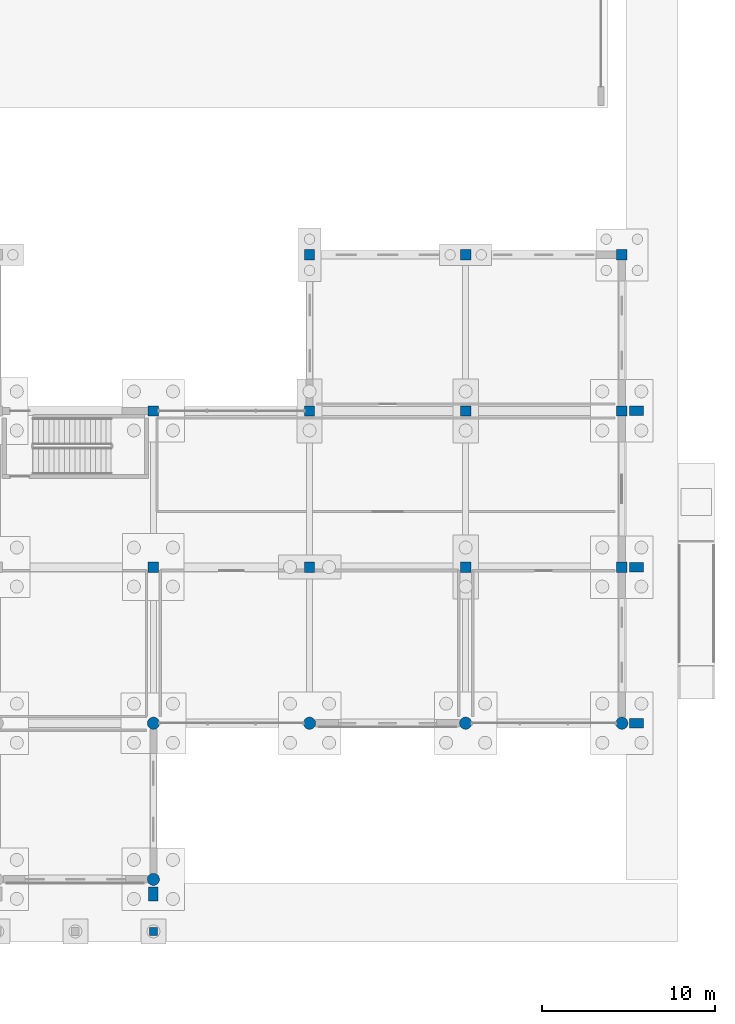
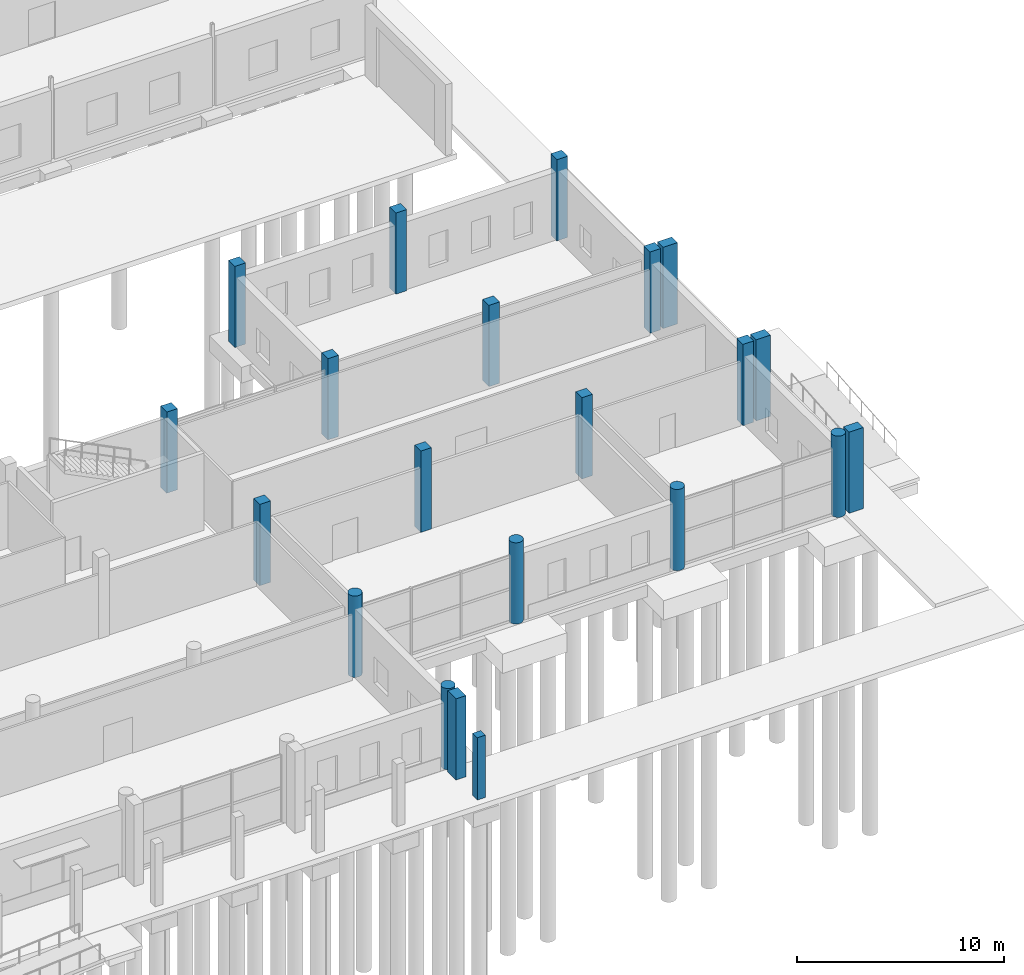
# One storey, part 32 of 112: 21 columns.
"""IFC4 building model written with IfcOpenShell, lengths in metres."""

from ifc_helpers import new_model, si_unit, direction, frame, origin, origin_2d, place, context, subcontext, project, spatial, rectangle, circle, extrude, material, material_profile, profile_set, type_object, element, save


model = new_model("IFC4")

# Units and contexts
model_context = context("Model", 3, precision=1e-05, world=origin(), true_north=direction((0.0, 1.0)))
body_context = subcontext(model_context, "Body", "Model", "MODEL_VIEW")
ifc_project = project(units=[si_unit("LENGTHUNIT", "METRE"), si_unit("AREAUNIT", "SQUARE_METRE"), si_unit("VOLUMEUNIT", "CUBIC_METRE"), si_unit("PLANEANGLEUNIT", "RADIAN"), si_unit("MASSUNIT", "GRAM", prefix="KILO")], contexts=[model_context])

# Site, building, storey
site_placement = place(None, origin())
site = spatial("IfcSite", under=ifc_project, at=site_placement, CompositionType="ELEMENT")
building_placement = place(site_placement, origin())
building = spatial("IfcBuilding", under=site, at=building_placement, Name="Tharagai Park Tramway Depot", CompositionType="ELEMENT")
storey_placement = place(building_placement, origin())
storey = spatial("IfcBuildingStorey", under=building, at=storey_placement, Name="L00", CompositionType="ELEMENT", Elevation=0.0)

# Columns
ifc_material = material(Name="Concrete M40", Category="concrete")
ifc_material_profile_1 = material_profile(ifc_material, circle(Radius=0.35009765625, at=origin_2d()), Name="RC D700")
ifc_profile_set_1 = profile_set([ifc_material_profile_1], Name="Concrete M40")
column_type_1 = type_object("IfcColumnType", Name="CL-03", PredefinedType="COLUMN", material=ifc_profile_set_1)
for number, where, z_axis, x_axis, name in (
    (1, (189.0, 0.0, 0.0), (0.0, 0.0, 1.0), (1.0, 0.0, 0.0), "L00 Structural Column CL-03 (189,0)"),
    (2, (189.0, 9.0, 0.0), (0.0, 0.0, 1.0), (1.0, 0.0, 0.0), "L00 Structural Column CL-03 (189,9)"),
    (3, (198.0, 9.0, 0.0), (0.0, 0.0, 1.0), (1.0, 0.0, 0.0), "L00 Structural Column CL-03 (198,9)"),
    (4, (207.0, 9.0, 0.0), (0.0, 0.0, 1.0), (1.0, 0.0, 0.0), "L00 Structural Column CL-03 (207,9)"),
    (5, (216.0, 9.0, 0.0), (0.0, 0.0, 1.0), (1.0, 0.0, 0.0), "L00 Structural Column CL-03 (216,9)"),
):
    element("IfcColumn", number, at=place(storey_placement, frame(where, z_axis=z_axis, x_axis=x_axis)), inside=storey, type_object=column_type_1, Name=name, PredefinedType="COLUMN", context=body_context, shape_type="SweptSolid", body=[
        extrude(circle(Radius=0.35009765625, at=origin_2d()), origin(), (0.0, 0.0, 1.0), 4.800048828125),
    ])
ifc_material_profile_2 = material_profile(ifc_material, rectangle(XDim=0.60009765625, YDim=0.60009765625, at=origin_2d()), Name="RC 600x600")
ifc_profile_set_2 = profile_set([ifc_material_profile_2], Name="Concrete M40")
column_type_2 = type_object("IfcColumnType", Name="CL-16", PredefinedType="COLUMN", material=ifc_profile_set_2)
for number, where, z_axis, x_axis, name in (
    (6, (189.0, 18.0, 0.0), (0.0, 0.0, 1.0), (1.0, 0.0, 0.0), "L00 Structural Column CL-16 (189,18)"),
    (7, (189.0, 27.0, 0.0), (0.0, 0.0, 1.0), (1.0, 0.0, 0.0), "L00 Structural Column CL-16 (189,27)"),
    (8, (198.0, 18.0, 0.0), (0.0, 0.0, 1.0), (1.0, 0.0, 0.0), "L00 Structural Column CL-16 (198,18)"),
    (9, (198.0, 27.0, 0.0), (0.0, 0.0, 1.0), (1.0, 0.0, 0.0), "L00 Structural Column CL-16 (198,27)"),
    (10, (198.0, 36.0, 0.0), (0.0, 0.0, 1.0), (1.0, 0.0, 0.0), "L00 Structural Column CL-16 (198,36)"),
    (11, (207.0, 18.0, 0.0), (0.0, 0.0, 1.0), (1.0, 0.0, 0.0), "L00 Structural Column CL-16 (207,18)"),
    (12, (207.0, 27.0, 0.0), (0.0, 0.0, 1.0), (1.0, 0.0, 0.0), "L00 Structural Column CL-16 (207,27)"),
    (13, (207.0, 36.0, 0.0), (0.0, 0.0, 1.0), (1.0, 0.0, 0.0), "L00 Structural Column CL-16 (207,36)"),
    (14, (216.0, 18.0, 0.0), (0.0, 0.0, 1.0), (1.0, 0.0, 0.0), "L00 Structural Column CL-16 (216,18)"),
    (15, (216.0, 27.0, 0.0), (0.0, 0.0, 1.0), (1.0, 0.0, 0.0), "L00 Structural Column CL-16 (216,27)"),
    (16, (216.0, 36.0, 0.0), (0.0, 0.0, 1.0), (1.0, 0.0, 0.0), "L00 Structural Column CL-16 (216,36)"),
):
    element("IfcColumn", number, at=place(storey_placement, frame(where, z_axis=z_axis, x_axis=x_axis)), inside=storey, type_object=column_type_2, Name=name, PredefinedType="COLUMN", context=body_context, shape_type="SweptSolid", body=[
        extrude(rectangle(XDim=0.60009765625, YDim=0.60009765625, at=origin_2d()), origin(), (0.0, 0.0, 1.0), 4.800048828125),
    ])
ifc_material_profile_3 = material_profile(ifc_material, rectangle(XDim=0.449951171875, YDim=0.449951171875, at=origin_2d()), Name="RC 450x450")
ifc_profile_set_3 = profile_set([ifc_material_profile_3], Name="Concrete M40")
column_type_3 = type_object("IfcColumnType", Name="CL-17", PredefinedType="COLUMN", material=ifc_profile_set_3)
column_placement = place(storey_placement, frame((189.0, -3.0, 0.0), z_axis=(0.0, 0.0, 1.0), x_axis=(1.0, 0.0, 0.0)))
element("IfcColumn", 17, at=column_placement, inside=storey, type_object=column_type_3, Name="Gothic Park Cloister Pier CL-17", PredefinedType="COLUMN", context=body_context, shape_type="SweptSolid", body=[
    extrude(rectangle(XDim=0.449951171875, YDim=0.449951171875, at=origin_2d()), origin(), (0.0, 0.0, 1.0), 3.679931640625),
])
ifc_material_profile_4 = material_profile(ifc_material, rectangle(XDim=0.550048828125, YDim=0.800048828125, at=origin_2d()), Name="RC 550x800")
ifc_profile_set_4 = profile_set([ifc_material_profile_4], Name="Concrete M40")
column_type_4 = type_object("IfcColumnType", Name="PL-02", PredefinedType="PILASTER", material=ifc_profile_set_4)
for number, where, z_axis, x_axis, name in (
    (18, (189.0, -0.85009765625, 0.0), (0.0, 0.0, 1.0), (1.0, 0.0, 0.0), "L00 Stepped Gothic Buttress PL-02 S5-189"),
    (19, (216.85009765625, 9.0, 0.0), (0.0, 0.0, 1.0), (0.0, 1.0, 0.0), "L00 Stepped Gothic Buttress PL-02 E-009"),
    (20, (216.85009765625, 18.0, 0.0), (0.0, 0.0, 1.0), (0.0, 1.0, 0.0), "L00 Stepped Gothic Buttress PL-02 E-018"),
    (21, (216.85009765625, 27.0, 0.0), (0.0, 0.0, 1.0), (0.0, 1.0, 0.0), "L00 Stepped Gothic Buttress PL-02 E-027"),
):
    element("IfcColumn", number, at=place(storey_placement, frame(where, z_axis=z_axis, x_axis=x_axis)), inside=storey, type_object=column_type_4, Name=name, PredefinedType="PILASTER", context=body_context, shape_type="SweptSolid", body=[
        extrude(rectangle(XDim=0.550048828125, YDim=0.800048828125, at=origin_2d()), origin(), (0.0, 0.0, 1.0), 4.800048828125),
    ])

save(model, "model.ifc")
